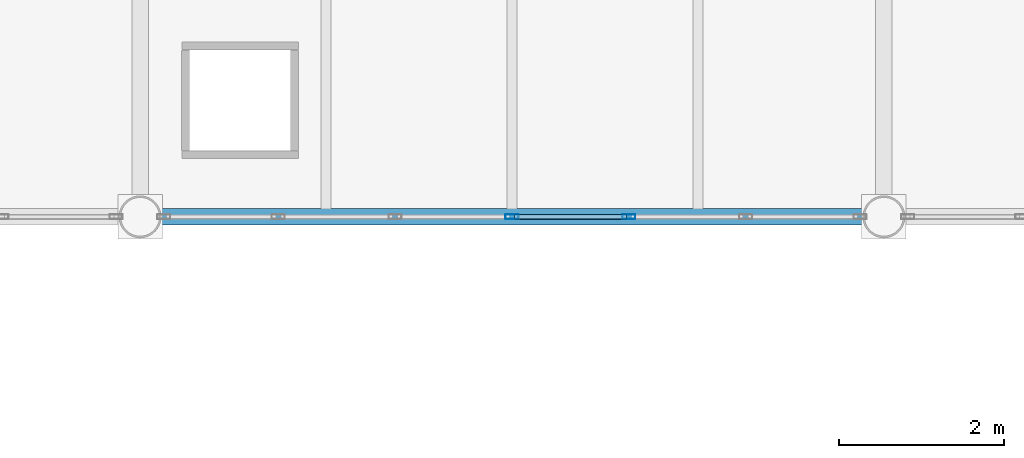
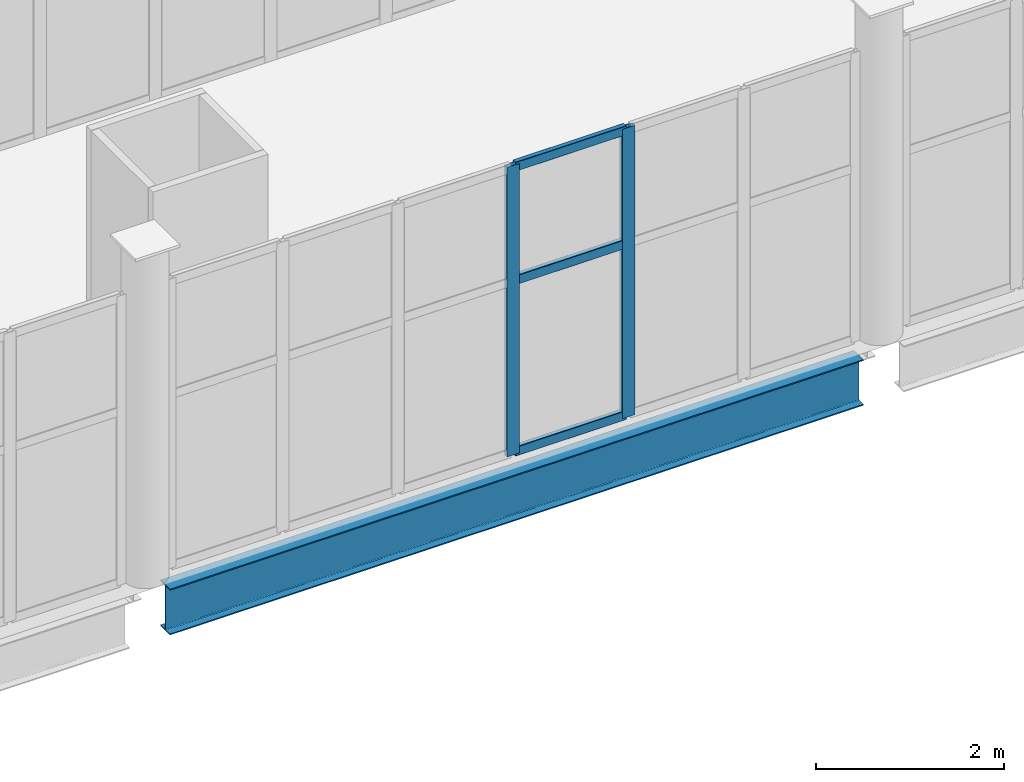
# One storey, part 63 of 136: 5 members, 1 beam, 1 element without a shape of its own.
"""IFC4 building model written with IfcOpenShell, lengths in metres."""

from ifc_helpers import new_model, si_unit, direction, frame, origin, origin_2d, place, context, subcontext, project, spatial, hollow_rectangle, i_section, extrude, material, material_profile, profile_set, type_object, element, aggregate, save


model = new_model("IFC4")

# Units and contexts
model_context = context("Model", 3, precision=1e-05, world=origin(), true_north=direction((0.0, 1.0)))
body_context = subcontext(model_context, "Body", "Model", "MODEL_VIEW")
ifc_project = project(units=[si_unit("LENGTHUNIT", "METRE"), si_unit("AREAUNIT", "SQUARE_METRE"), si_unit("VOLUMEUNIT", "CUBIC_METRE"), si_unit("PLANEANGLEUNIT", "RADIAN"), si_unit("MASSUNIT", "GRAM", prefix="KILO")], contexts=[model_context])

# Site, building, storey
site_placement = place(None, origin())
site = spatial("IfcSite", under=ifc_project, at=site_placement, CompositionType="ELEMENT")
building_placement = place(site_placement, origin())
building = spatial("IfcBuilding", under=site, at=building_placement, Name="Shengluoqiao Park Theatre", CompositionType="ELEMENT")
storey_placement = place(building_placement, frame((0.0, 0.0, 10.0)))
storey = spatial("IfcBuildingStorey", under=building, at=storey_placement, Name="L02", CompositionType="ELEMENT", Elevation=10.0)

# Curtain wall, members
ifc_material_1 = material(Name="Aluminium 6063-T6", Category="aluminium")
curtain_wall_type = type_object("IfcCurtainWallType", Name="ENV-CW-BRIDGE", PredefinedType="NOTDEFINED", material=ifc_material_1)
curtain_wall_placement = place(storey_placement, origin())
curtain_wall = element("IfcCurtainWall", 1, at=curtain_wall_placement, inside=storey, type_object=curtain_wall_type, Name="L02 Curtain Wall CWX-L02-0111", PredefinedType="NOTDEFINED")
ifc_material_profile_1 = material_profile(ifc_material_1, hollow_rectangle(XDim=0.06005859375, YDim=0.159912109375, WallThickness=0.00390625, InnerFilletRadius=0.00390625, OuterFilletRadius=0.008056640625, at=origin_2d()), Name="ALU MULLION 160x60x4")
ifc_profile_set_1 = profile_set([ifc_material_profile_1], Name="Aluminium 6063-T6")
member_type_1 = type_object("IfcMemberType", Name="ENV-MUL-160", PredefinedType="MULLION", material=ifc_profile_set_1)
member_1_placement = place(storey_placement, frame((125.89990234375, 68.39990234375, 0.0), z_axis=(0.0, 0.0, 1.0), x_axis=(0.0, 1.0, 0.0)))
member_1 = element("IfcMember", 2, at=member_1_placement, type_object=member_type_1, Name="CW-03 mullion 4", PredefinedType="MULLION", context=body_context, shape_type="SweptSolid", body=[
    extrude(hollow_rectangle(XDim=0.06005859375, YDim=0.159912109375, WallThickness=0.00390625, InnerFilletRadius=0.00390625, OuterFilletRadius=0.008056640625, at=origin_2d()), origin(), (0.0, 0.0, 1.0), 3.751953125),
])
member_2_placement = place(storey_placement, frame((127.31396484375, 68.39990234375, 0.0), z_axis=(0.0, 0.0, 1.0), x_axis=(0.0, 1.0, 0.0)))
member_2 = element("IfcMember", 3, at=member_2_placement, type_object=member_type_1, Name="CW-03 mullion 5", PredefinedType="MULLION", context=body_context, shape_type="SweptSolid", body=[
    extrude(hollow_rectangle(XDim=0.06005859375, YDim=0.159912109375, WallThickness=0.00390625, InnerFilletRadius=0.00390625, OuterFilletRadius=0.008056640625, at=origin_2d()), origin(), (0.0, 0.0, 1.0), 3.751953125),
])
ifc_material_profile_2 = material_profile(ifc_material_1, hollow_rectangle(XDim=0.06005859375, YDim=0.1201171875, WallThickness=0.00390625, InnerFilletRadius=0.00390625, OuterFilletRadius=0.008056640625, at=origin_2d()), Name="ALU TRANSOM 120x60x4")
ifc_profile_set_2 = profile_set([ifc_material_profile_2], Name="Aluminium 6063-T6")
member_type_2 = type_object("IfcMemberType", Name="ENV-TRN-120", PredefinedType="USERDEFINED", material=ifc_profile_set_2)
member_3_placement = place(storey_placement, frame((125.929931640625, 68.39990234375, 0.030029296875), z_axis=(1.0, 0.0, 0.0), x_axis=(0.0, 1.0, 0.0)))
member_3 = element("IfcMember", 4, at=member_3_placement, type_object=member_type_2, Name="CW-03 transom 4.1", ObjectType="TRANSOM", PredefinedType="USERDEFINED", context=body_context, shape_type="SweptSolid", body=[
    extrude(hollow_rectangle(XDim=0.06005859375, YDim=0.1201171875, WallThickness=0.00390625, InnerFilletRadius=0.00390625, OuterFilletRadius=0.008056640625, at=origin_2d()), origin(), (0.0, 0.0, 1.0), 1.35400390625),
])
member_4_placement = place(storey_placement, frame((125.929931640625, 68.39990234375, 2.2509765625), z_axis=(1.0, 0.0, 0.0), x_axis=(0.0, 1.0, 0.0)))
member_4 = element("IfcMember", 5, at=member_4_placement, type_object=member_type_2, Name="CW-03 transom 4.2", ObjectType="TRANSOM", PredefinedType="USERDEFINED", context=body_context, shape_type="SweptSolid", body=[
    extrude(hollow_rectangle(XDim=0.06005859375, YDim=0.1201171875, WallThickness=0.00390625, InnerFilletRadius=0.00390625, OuterFilletRadius=0.008056640625, at=origin_2d()), origin(), (0.0, 0.0, 1.0), 1.35400390625),
])
member_5_placement = place(storey_placement, frame((125.929931640625, 68.39990234375, 3.721923828125), z_axis=(1.0, 0.0, 0.0), x_axis=(0.0, 1.0, 0.0)))
member_5 = element("IfcMember", 6, at=member_5_placement, type_object=member_type_2, Name="CW-03 transom 4.3", ObjectType="TRANSOM", PredefinedType="USERDEFINED", context=body_context, shape_type="SweptSolid", body=[
    extrude(hollow_rectangle(XDim=0.06005859375, YDim=0.1201171875, WallThickness=0.00390625, InnerFilletRadius=0.00390625, OuterFilletRadius=0.008056640625, at=origin_2d()), origin(), (0.0, 0.0, 1.0), 1.35400390625),
])
aggregate(curtain_wall, [member_1, member_2, member_3, member_4, member_5])

# Beam
ifc_material_2 = material(Name="Steel Q355", Category="steel")
ifc_material_profile_3 = material_profile(ifc_material_2, i_section(OverallWidth=0.198974609375, OverallDepth=0.595947265625, WebThickness=0.010009765625, FlangeThickness=0.014892578125, FilletRadius=0.02001953125, at=origin_2d()), Name="HN 596x199x10x15")
ifc_profile_set_3 = profile_set([ifc_material_profile_3], Name="Steel Q355")
beam_type = type_object("IfcBeamType", Name="STR-BM-SP-HN596", PredefinedType="SPANDREL", material=ifc_profile_set_3)
beam_placement = place(storey_placement, frame((121.64794921875, 68.39990234375, -0.508056640625), z_axis=(1.0, 0.0, 0.0), x_axis=(0.0, 1.0, 0.0)))
element("IfcBeam", 7, at=beam_placement, inside=storey, type_object=beam_type, Name="L02 Primary Girder 01009", PredefinedType="SPANDREL", context=body_context, shape_type="SweptSolid", body=[
    extrude(i_section(OverallWidth=0.198974609375, OverallDepth=0.595947265625, WebThickness=0.010009765625, FlangeThickness=0.014892578125, FilletRadius=0.02001953125, at=origin_2d()), origin(), (0.0, 0.0, 1.0), 8.504150390625),
])

save(model, "model.ifc")
